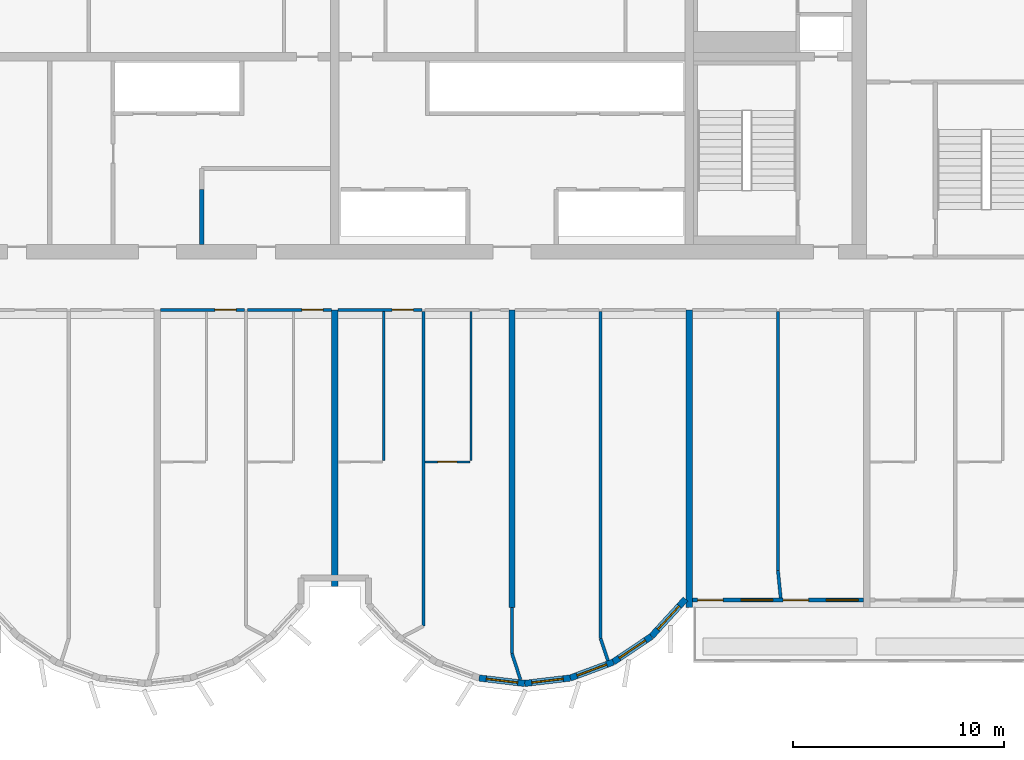
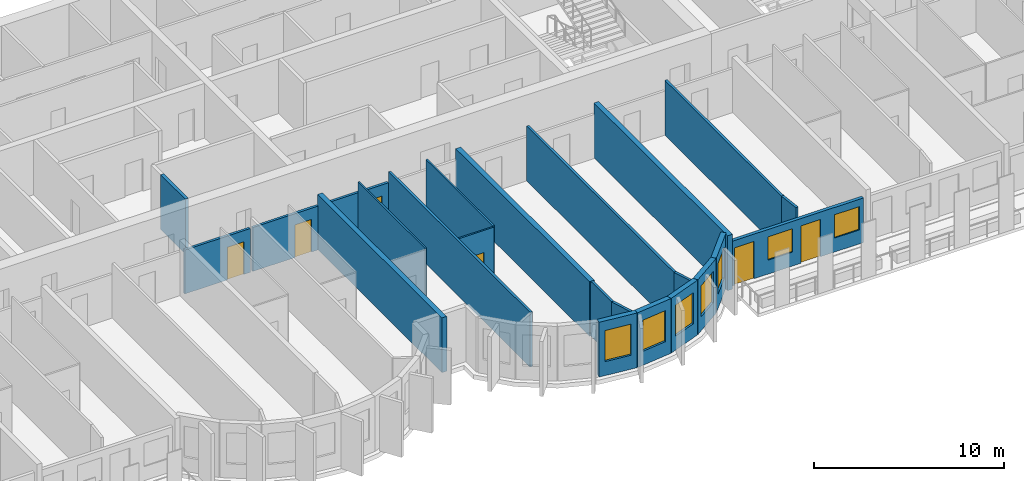
# One storey, part 5 of 13: 23 walls, 7 windows, 6 doors, 13 openings.
"""IFC4 building model written with IfcOpenShell, lengths in metres."""

from ifc_helpers import new_model, si_unit, direction, frame, frame_2d, origin, place, context, subcontext, project, spatial, rectangle, extrude, source, transform, mapped, material, layer, layer_set, type_object, element, fill, save


model = new_model("IFC4")

# Units and contexts
model_context = context("Model", 3, precision=1e-05, world=origin(), true_north=direction((0.0, 1.0)))
body_context = subcontext(model_context, "Body", "Model", "MODEL_VIEW")
ifc_project = project(units=[si_unit("LENGTHUNIT", "METRE"), si_unit("AREAUNIT", "SQUARE_METRE"), si_unit("VOLUMEUNIT", "CUBIC_METRE"), si_unit("PLANEANGLEUNIT", "RADIAN"), si_unit("MASSUNIT", "GRAM", prefix="KILO")], contexts=[model_context])

# Site, building, storey
site_placement = place(None, origin())
site = spatial("IfcSite", under=ifc_project, at=site_placement, CompositionType="ELEMENT")
building_placement = place(site_placement, origin())
building = spatial("IfcBuilding", under=site, at=building_placement, Name="Vanashikhar Sky Hotel", CompositionType="ELEMENT")
storey_placement = place(building_placement, frame((0.0, 0.0, 163.0)))
storey = spatial("IfcBuildingStorey", under=building, at=storey_placement, Name="L39", CompositionType="ELEMENT", Elevation=163.0)

# Walls
ifc_material_1 = material(Name="Concrete M60", Category="concrete")
ifc_layer_1 = layer(ifc_material_1, 0.300048828125)
ifc_layer_set_1 = layer_set([ifc_layer_1], Name="RC shear wall 300 Concrete M60")
wall_type_1 = type_object("IfcWallType", Name="RC shear wall 300 Concrete M60", PredefinedType="SHEAR", material=ifc_layer_set_1)
shared_shape_1 = source(origin(), body_context, "Body", "SweptSolid", [
    extrude(rectangle(XDim=14.10009765625, YDim=0.300048828125, at=frame_2d((7.050048828125, 0.0))), origin(), (0.0, 0.0, 1.0), 3.52001953125),
])
for number, where, z_axis, x_axis, name in (
    (1, (58.800048828125, 5.5, 0.0), (0.0, 0.0, 1.0), (0.0, 1.0, 0.0), "CW-L39-XW08-1"),
    (2, (67.199951171875, 5.5, 0.0), (0.0, 0.0, 1.0), (0.0, 1.0, 0.0), "CW-L39-XW09-1"),
):
    element("IfcWall", number, at=place(storey_placement, frame(where, z_axis=z_axis, x_axis=x_axis)), inside=storey, type_object=wall_type_1, Name=name, PredefinedType="SHEAR", context=body_context, shape_type="MappedRepresentation", body=[
        mapped(shared_shape_1, transform((0.0, 0.0, 0.0), scale=1.0)),
    ])
shared_shape_2 = source(origin(), body_context, "Body", "SweptSolid", [
    extrude(rectangle(XDim=13.10009765625, YDim=0.300048828125, at=frame_2d((6.550048828125, 0.0))), origin(), (0.0, 0.0, 1.0), 3.52001953125),
])
wall_1_placement = place(storey_placement, frame((50.39990234375, 6.5, 0.0), z_axis=(0.0, 0.0, 1.0), x_axis=(0.0, 1.0, 0.0)))
element("IfcWall", 3, at=wall_1_placement, inside=storey, type_object=wall_type_1, Name="CW-L39-XW07-1", PredefinedType="SHEAR", context=body_context, shape_type="MappedRepresentation", body=[
    mapped(shared_shape_2, transform((0.0, 0.0, 0.0), scale=1.0)),
])

# Wall, opening, window
ifc_material_2 = material(Name="Concrete M50", Category="concrete")
ifc_layer_2 = layer(ifc_material_2, 0.300048828125)
ifc_layer_set_2 = layer_set([ifc_layer_2], Name="Lobe wall 300")
wall_type_2 = type_object("IfcWallType", Name="Lobe wall 300", PredefinedType="SOLIDWALL", material=ifc_layer_set_2)
shared_shape_3 = source(origin(), body_context, "Body", "SweptSolid", [
    extrude(rectangle(XDim=2.398193359375, YDim=0.300048828125, at=frame_2d((1.19921875, 0.0))), origin(), (0.0, 0.0, 1.0), 3.52001953125),
])
wall_2_placement = place(storey_placement, frame((65.404296875, 4.13134765625, 0.0), z_axis=(0.0, 0.0, 1.0), x_axis=(0.675374189419, 0.737475222815, 0.0)))
wall_2 = element("IfcWall", 4, at=wall_2_placement, inside=storey, type_object=wall_type_2, Name="Lobe wall", PredefinedType="SOLIDWALL", context=body_context, shape_type="MappedRepresentation", body=[
    mapped(shared_shape_3, transform((0.0, 0.0, 0.0), scale=1.0)),
])
shared_shape_4 = source(origin(), body_context, "Body", "SweptSolid", [
    extrude(rectangle(XDim=1.5, YDim=2.0, at=frame_2d((0.75, 1.0))), frame((0.0, 0.16015625, 0.0), z_axis=(0.0, -1.0, 0.0), x_axis=(1.0, 0.0, 0.0)), (0.0, 0.0, 1.0), 0.320068359375),
])
opening_1_placement = place(wall_2_placement, frame((0.44921875, 0.0, 0.89990234375)))
opening_1 = element("IfcOpeningElement", 5, at=opening_1_placement, cuts=wall_2, Name="Opening WN-2", PredefinedType="OPENING", context=body_context, shape_type="MappedRepresentation", body=[
    mapped(shared_shape_4, transform((0.0, 0.0, 0.0), scale=1.0)),
])
ifc_material_3 = material(Name="Glass", Category="glass")
window_type_1 = type_object("IfcWindowType", Name="Lobe window 1500 x 2000", PartitioningType="SINGLE_PANEL", PredefinedType="WINDOW", material=ifc_material_3)
shared_shape_5 = source(origin(), body_context, "Body", "SweptSolid", [
    extrude(rectangle(XDim=1.5, YDim=2.0, at=frame_2d((0.75, 1.0))), frame((0.0, 0.030029296875, 0.0), z_axis=(0.0, -1.0, 0.0), x_axis=(1.0, 0.0, 0.0)), (0.0, 0.0, 1.0), 0.06005859375),
])
window_1_placement = place(opening_1_placement, origin())
window_1 = element("IfcWindow", 6, at=window_1_placement, inside=storey, type_object=window_type_1, Name="Window WN-2", OverallHeight=2.0, OverallWidth=1.5, PartitioningType="SINGLE_PANEL", PredefinedType="WINDOW", context=body_context, shape_type="MappedRepresentation", body=[
    mapped(shared_shape_5, transform((0.0, 0.0, 0.0), scale=1.0)),
])
fill(opening_1, window_1)

shared_shape_6 = source(origin(), body_context, "Body", "SweptSolid", [
    extrude(rectangle(XDim=2.17578125, YDim=0.300048828125, at=frame_2d((1.087890625, 0.0))), origin(), (0.0, 0.0, 1.0), 3.52001953125),
])
wall_3_placement = place(storey_placement, frame((63.59912109375, 2.91650390625, 0.0), z_axis=(0.0, 0.0, 1.0), x_axis=(0.829625727223, 0.558319937607, 0.0)))
wall_3 = element("IfcWall", 7, at=wall_3_placement, inside=storey, type_object=wall_type_2, Name="Lobe wall", PredefinedType="SOLIDWALL", context=body_context, shape_type="MappedRepresentation", body=[
    mapped(shared_shape_6, transform((0.0, 0.0, 0.0), scale=1.0)),
])
opening_2_placement = place(wall_3_placement, frame((0.337890625, 0.0, 0.89990234375)))
opening_2 = element("IfcOpeningElement", 8, at=opening_2_placement, cuts=wall_3, Name="Opening WN-2", PredefinedType="OPENING", context=body_context, shape_type="MappedRepresentation", body=[
    mapped(shared_shape_4, transform((0.0, 0.0, 0.0), scale=1.0)),
])
window_2_placement = place(opening_2_placement, origin())
window_2 = element("IfcWindow", 9, at=window_2_placement, inside=storey, type_object=window_type_1, Name="Window WN-2", OverallHeight=2.0, OverallWidth=1.5, PartitioningType="SINGLE_PANEL", PredefinedType="WINDOW", context=body_context, shape_type="MappedRepresentation", body=[
    mapped(shared_shape_5, transform((0.0, 0.0, 0.0), scale=1.0)),
])
fill(opening_2, window_2)

shared_shape_7 = source(origin(), body_context, "Body", "SweptSolid", [
    extrude(rectangle(XDim=2.174560546875, YDim=0.300048828125, at=frame_2d((1.08740234375, 0.0))), origin(), (0.0, 0.0, 1.0), 3.52001953125),
])
wall_4_placement = place(storey_placement, frame((57.240478515625, 2.15966796875, 0.0), z_axis=(0.0, 0.0, 1.0), x_axis=(0.993001132889, -0.118104826659, 0.0)))
wall_4 = element("IfcWall", 10, at=wall_4_placement, inside=storey, type_object=wall_type_2, Name="Lobe wall", PredefinedType="SOLIDWALL", context=body_context, shape_type="MappedRepresentation", body=[
    mapped(shared_shape_7, transform((0.0, 0.0, 0.0), scale=1.0)),
])
opening_3_placement = place(wall_4_placement, frame((0.33740234375, 0.0, 0.89990234375)))
opening_3 = element("IfcOpeningElement", 11, at=opening_3_placement, cuts=wall_4, Name="Opening WN-2", PredefinedType="OPENING", context=body_context, shape_type="MappedRepresentation", body=[
    mapped(shared_shape_4, transform((0.0, 0.0, 0.0), scale=1.0)),
])
window_3_placement = place(opening_3_placement, origin())
window_3 = element("IfcWindow", 12, at=window_3_placement, inside=storey, type_object=window_type_1, Name="Window WN-2", OverallHeight=2.0, OverallWidth=1.5, PartitioningType="SINGLE_PANEL", PredefinedType="WINDOW", context=body_context, shape_type="MappedRepresentation", body=[
    mapped(shared_shape_5, transform((0.0, 0.0, 0.0), scale=1.0)),
])
fill(opening_3, window_3)

shared_shape_8 = source(origin(), body_context, "Body", "SweptSolid", [
    extrude(rectangle(XDim=2.1748046875, YDim=0.300048828125, at=frame_2d((1.08740234375, 0.0))), origin(), (0.0, 0.0, 1.0), 3.52001953125),
])
wall_5_placement = place(storey_placement, frame((59.39990234375, 1.90283203125, 0.0), z_axis=(0.0, 0.0, 1.0), x_axis=(0.993002698611, 0.118091661648, 0.0)))
wall_5 = element("IfcWall", 13, at=wall_5_placement, inside=storey, type_object=wall_type_2, Name="Lobe wall", PredefinedType="SOLIDWALL", context=body_context, shape_type="MappedRepresentation", body=[
    mapped(shared_shape_8, transform((0.0, 0.0, 0.0), scale=1.0)),
])
opening_4_placement = place(wall_5_placement, frame((0.33740234375, 0.0, 0.89990234375)))
opening_4 = element("IfcOpeningElement", 14, at=opening_4_placement, cuts=wall_5, Name="Opening WN-2", PredefinedType="OPENING", context=body_context, shape_type="MappedRepresentation", body=[
    mapped(shared_shape_4, transform((0.0, 0.0, 0.0), scale=1.0)),
])
window_4_placement = place(opening_4_placement, origin())
window_4 = element("IfcWindow", 15, at=window_4_placement, inside=storey, type_object=window_type_1, Name="Window WN-2", OverallHeight=2.0, OverallWidth=1.5, PartitioningType="SINGLE_PANEL", PredefinedType="WINDOW", context=body_context, shape_type="MappedRepresentation", body=[
    mapped(shared_shape_5, transform((0.0, 0.0, 0.0), scale=1.0)),
])
fill(opening_4, window_4)

shared_shape_9 = source(origin(), body_context, "Body", "SweptSolid", [
    extrude(rectangle(XDim=2.175537109375, YDim=0.300048828125, at=frame_2d((1.087890625, 0.0))), origin(), (0.0, 0.0, 1.0), 3.52001953125),
])
wall_6_placement = place(storey_placement, frame((61.5595703125, 2.15966796875, 0.0), z_axis=(0.0, 0.0, 1.0), x_axis=(0.937531979054, 0.347899106424, 0.0)))
wall_6 = element("IfcWall", 16, at=wall_6_placement, inside=storey, type_object=wall_type_2, Name="Lobe wall", PredefinedType="SOLIDWALL", context=body_context, shape_type="MappedRepresentation", body=[
    mapped(shared_shape_9, transform((0.0, 0.0, 0.0), scale=1.0)),
])
opening_5_placement = place(wall_6_placement, frame((0.337890625, 0.0, 0.89990234375)))
opening_5 = element("IfcOpeningElement", 17, at=opening_5_placement, cuts=wall_6, Name="Opening WN-2", PredefinedType="OPENING", context=body_context, shape_type="MappedRepresentation", body=[
    mapped(shared_shape_4, transform((0.0, 0.0, 0.0), scale=1.0)),
])
window_5_placement = place(opening_5_placement, origin())
window_5 = element("IfcWindow", 18, at=window_5_placement, inside=storey, type_object=window_type_1, Name="Window WN-2", OverallHeight=2.0, OverallWidth=1.5, PartitioningType="SINGLE_PANEL", PredefinedType="WINDOW", context=body_context, shape_type="MappedRepresentation", body=[
    mapped(shared_shape_5, transform((0.0, 0.0, 0.0), scale=1.0)),
])
fill(opening_5, window_5)

# Wall, openings, windows, doors
ifc_layer_3 = layer(ifc_material_2, 0.199951171875)
ifc_layer_set_3 = layer_set([ifc_layer_3], Name="Front window wall 200")
wall_type_3 = type_object("IfcWallType", Name="Front window wall 200", PredefinedType="SOLIDWALL", material=ifc_layer_set_3)
shared_shape_10 = source(origin(), body_context, "Body", "SweptSolid", [
    extrude(rectangle(XDim=8.099853515625, YDim=0.199951171875, at=frame_2d((4.0498046875, 0.0))), origin(), (0.0, 0.0, 1.0), 2.8701171875),
])
wall_7_placement = place(storey_placement, frame((67.35009765625, 5.85009765625, 0.0), z_axis=(0.0, 0.0, 1.0), x_axis=(1.0, 0.0, 0.0)))
wall_7 = element("IfcWall", 19, at=wall_7_placement, inside=storey, type_object=wall_type_3, Name="Front window wall", PredefinedType="SOLIDWALL", context=body_context, shape_type="MappedRepresentation", body=[
    mapped(shared_shape_10, transform((0.0, 0.0, 0.0), scale=1.0)),
])
shared_shape_11 = source(origin(), body_context, "Body", "SweptSolid", [
    extrude(rectangle(XDim=1.199951171875, YDim=2.39990234375, at=frame_2d((0.60009765625, 1.199951171875))), frame((0.0, 0.10986328125, 0.0), z_axis=(0.0, -1.0, 0.0), x_axis=(1.0, 0.0, 0.0)), (0.0, 0.0, 1.0), 0.219970703125),
])
opening_6_placement = place(wall_7_placement, frame((0.25, 0.0, 0.0)))
opening_6 = element("IfcOpeningElement", 20, at=opening_6_placement, cuts=wall_7, Name="Opening BD-06", PredefinedType="OPENING", context=body_context, shape_type="MappedRepresentation", body=[
    mapped(shared_shape_11, transform((0.0, 0.0, 0.0), scale=1.0)),
])
shared_shape_12 = source(origin(), body_context, "Body", "SweptSolid", [
    extrude(rectangle(XDim=1.5, YDim=1.5, at=frame_2d((0.75, 0.75))), frame((0.0, 0.10986328125, 0.0), z_axis=(0.0, -1.0, 0.0), x_axis=(1.0, 0.0, 0.0)), (0.0, 0.0, 1.0), 0.219970703125),
])
opening_7_placement = place(wall_7_placement, frame((2.300048828125, 0.0, 0.89990234375)))
opening_7 = element("IfcOpeningElement", 21, at=opening_7_placement, cuts=wall_7, Name="Opening WN-1", PredefinedType="OPENING", context=body_context, shape_type="MappedRepresentation", body=[
    mapped(shared_shape_12, transform((0.0, 0.0, 0.0), scale=1.0)),
])
opening_8_placement = place(wall_7_placement, frame((4.300048828125, 0.0, 0.0)))
opening_8 = element("IfcOpeningElement", 22, at=opening_8_placement, cuts=wall_7, Name="Opening BD-07", PredefinedType="OPENING", context=body_context, shape_type="MappedRepresentation", body=[
    mapped(shared_shape_11, transform((0.0, 0.0, 0.0), scale=1.0)),
])
opening_9_placement = place(wall_7_placement, frame((6.35009765625, 0.0, 0.89990234375)))
opening_9 = element("IfcOpeningElement", 23, at=opening_9_placement, cuts=wall_7, Name="Opening WN-1", PredefinedType="OPENING", context=body_context, shape_type="MappedRepresentation", body=[
    mapped(shared_shape_12, transform((0.0, 0.0, 0.0), scale=1.0)),
])
window_type_2 = type_object("IfcWindowType", Name="Window 1500 x 1500", PartitioningType="SINGLE_PANEL", PredefinedType="WINDOW", material=ifc_material_3)
shared_shape_13 = source(origin(), body_context, "Body", "SweptSolid", [
    extrude(rectangle(XDim=1.5, YDim=1.5, at=frame_2d((0.75, 0.75))), frame((0.0, 0.030029296875, 0.0), z_axis=(0.0, -1.0, 0.0), x_axis=(1.0, 0.0, 0.0)), (0.0, 0.0, 1.0), 0.06005859375),
])
window_6_placement = place(opening_7_placement, origin())
window_6 = element("IfcWindow", 24, at=window_6_placement, inside=storey, type_object=window_type_2, Name="Window WN-1", OverallHeight=1.5, OverallWidth=1.5, PartitioningType="SINGLE_PANEL", PredefinedType="WINDOW", context=body_context, shape_type="MappedRepresentation", body=[
    mapped(shared_shape_13, transform((0.0, 0.0, 0.0), scale=1.0)),
])
fill(opening_7, window_6)
window_7_placement = place(opening_9_placement, origin())
window_7 = element("IfcWindow", 25, at=window_7_placement, inside=storey, type_object=window_type_2, Name="Window WN-1", OverallHeight=1.5, OverallWidth=1.5, PartitioningType="SINGLE_PANEL", PredefinedType="WINDOW", context=body_context, shape_type="MappedRepresentation", body=[
    mapped(shared_shape_13, transform((0.0, 0.0, 0.0), scale=1.0)),
])
fill(opening_9, window_7)
ifc_material_4 = material(Name="Aluminium", Category="aluminium")
door_type_1 = type_object("IfcDoorType", Name="Balcony sliding door 1200 x 2400", OperationType="NOTDEFINED", PredefinedType="DOOR", material=ifc_material_4)
shared_shape_14 = source(origin(), body_context, "Body", "SweptSolid", [
    extrude(rectangle(XDim=1.199951171875, YDim=2.39990234375, at=frame_2d((0.60009765625, 1.199951171875))), frame((0.0, 0.02490234375, 0.0), z_axis=(0.0, -1.0, 0.0), x_axis=(1.0, 0.0, 0.0)), (0.0, 0.0, 1.0), 0.050048828125),
])
door_1_placement = place(opening_6_placement, origin())
door_1 = element("IfcDoor", 26, at=door_1_placement, inside=storey, type_object=door_type_1, Name="Balcony sliding door", OperationType="SLIDING_TO_RIGHT", OverallHeight=2.39990234375, OverallWidth=1.199951171875, PredefinedType="DOOR", context=body_context, shape_type="MappedRepresentation", body=[
    mapped(shared_shape_14, transform((0.0, 0.0, 0.0), scale=1.0)),
])
fill(opening_6, door_1)
door_2_placement = place(opening_8_placement, origin())
door_2 = element("IfcDoor", 27, at=door_2_placement, inside=storey, type_object=door_type_1, Name="Balcony sliding door", OperationType="SLIDING_TO_LEFT", OverallHeight=2.39990234375, OverallWidth=1.199951171875, PredefinedType="DOOR", context=body_context, shape_type="MappedRepresentation", body=[
    mapped(shared_shape_14, transform((0.0, 0.0, 0.0), scale=1.0)),
])
fill(opening_8, door_2)

# Walls
ifc_material_5 = material(Name="Gypsum board partition")
ifc_layer_4 = layer(ifc_material_5, 0.14990234375)
ifc_layer_set_4 = layer_set([ifc_layer_4], Name="Service partition 150")
wall_type_4 = type_object("IfcWallType", Name="Service partition 150", PredefinedType="PARTITIONING", material=ifc_layer_set_4)
shared_shape_15 = source(origin(), body_context, "Body", "SweptSolid", [
    extrude(rectangle(XDim=2.60009765625, YDim=0.199951171875, at=frame_2d((1.300048828125, 0.0))), origin(), (0.0, 0.0, 1.0), 3.52001953125),
])
wall_8_placement = place(storey_placement, frame((44.10009765625, 22.699951171875, 0.0), z_axis=(0.0, 0.0, 1.0), x_axis=(0.0, 1.0, 0.0)))
element("IfcWall", 28, at=wall_8_placement, inside=storey, type_object=wall_type_4, Name="Service partition 150", PredefinedType="PARTITIONING", context=body_context, shape_type="MappedRepresentation", body=[
    mapped(shared_shape_15, transform((0.0, 0.0, 0.0), scale=1.0)),
])
ifc_material_6 = material(Name="Gypsum plasterboard partition")
ifc_layer_5 = layer(ifc_material_6, 0.10009765625)
ifc_layer_set_5 = layer_set([ifc_layer_5], Name="Wet room partition 100")
wall_type_5 = type_object("IfcWallType", Name="Wet room partition 100", PredefinedType="PARTITIONING", material=ifc_layer_set_5)
shared_shape_16 = source(origin(), body_context, "Body", "SweptSolid", [
    extrude(rectangle(XDim=7.0498046875, YDim=0.10009765625, at=frame_2d((3.52490234375, 0.0))), origin(), (0.0, 0.0, 1.0), 3.52001953125),
])
for number, where, z_axis, x_axis, name in (
    (29, (52.72509765625, 12.47509765625, 0.0), (0.0, 0.0, 1.0), (0.0, 1.0, 0.0), "W-L39-PW031"),
    (30, (56.85009765625, 12.47509765625, 0.0), (0.0, 0.0, 1.0), (0.0, 1.0, 0.0), "W-L39-PW034"),
):
    element("IfcWall", number, at=place(storey_placement, frame(where, z_axis=z_axis, x_axis=x_axis)), inside=storey, type_object=wall_type_5, Name=name, PredefinedType="PARTITIONING", context=body_context, shape_type="MappedRepresentation", body=[
        mapped(shared_shape_16, transform((0.0, 0.0, 0.0), scale=1.0)),
    ])
ifc_layer_6 = layer(ifc_material_6, 0.14990234375)
ifc_layer_set_6 = layer_set([ifc_layer_6], Name="Corridor and demising partition 150")
wall_type_6 = type_object("IfcWallType", Name="Corridor and demising partition 150", PredefinedType="PARTITIONING", material=ifc_layer_set_6)
shared_shape_17 = source(origin(), body_context, "Body", "SweptSolid", [
    extrude(rectangle(XDim=2.177978515625, YDim=0.14990234375, at=frame_2d((1.0888671875, 0.0))), origin(), (0.0, 0.0, 1.0), 3.52001953125),
])
wall_9_placement = place(storey_placement, frame((58.800048828125, 3.322021484375, 0.0), z_axis=(0.0, 0.0, 1.0), x_axis=(0.0, 1.0, 0.0)))
element("IfcWall", 31, at=wall_9_placement, inside=storey, type_object=wall_type_6, Name="W-L39-PW058", PredefinedType="PARTITIONING", context=body_context, shape_type="MappedRepresentation", body=[
    mapped(shared_shape_17, transform((0.0, 0.0, 0.0), scale=1.0)),
])
shared_shape_18 = source(origin(), body_context, "Body", "SweptSolid", [
    extrude(rectangle(XDim=1.100830078125, YDim=0.14990234375, at=frame_2d((0.55029296875, 0.0))), origin(), (0.0, 0.0, 1.0), 3.52001953125),
])
wall_10_placement = place(storey_placement, frame((63.343017578125, 2.98095703125, 0.0), z_axis=(0.0, 0.0, 1.0), x_axis=(-0.311567081539, 0.950224159712, 0.0)))
element("IfcWall", 32, at=wall_10_placement, inside=storey, type_object=wall_type_6, Name="W-L39-PW040B0", PredefinedType="PARTITIONING", context=body_context, shape_type="MappedRepresentation", body=[
    mapped(shared_shape_18, transform((0.0, 0.0, 0.0), scale=1.0)),
])
shared_shape_19 = source(origin(), body_context, "Body", "SweptSolid", [
    extrude(rectangle(XDim=1.308349609375, YDim=0.14990234375, at=frame_2d((0.654296875, 0.0))), origin(), (0.0, 0.0, 1.0), 3.52001953125),
])
wall_11_placement = place(storey_placement, frame((59.201904296875, 2.076904296875, 0.0), z_axis=(0.0, 0.0, 1.0), x_axis=(-0.307144529633, 0.951662880392, 0.0)))
element("IfcWall", 33, at=wall_11_placement, inside=storey, type_object=wall_type_6, Name="W-L39-PW058B0", PredefinedType="PARTITIONING", context=body_context, shape_type="MappedRepresentation", body=[
    mapped(shared_shape_19, transform((0.0, 0.0, 0.0), scale=1.0)),
])
shared_shape_20 = source(origin(), body_context, "Body", "SweptSolid", [
    extrude(rectangle(XDim=12.27490234375, YDim=0.14990234375, at=frame_2d((6.137451171875, 0.0))), origin(), (0.0, 0.0, 1.0), 3.52001953125),
])
wall_12_placement = place(storey_placement, frame((71.39990234375, 7.25, 0.0), z_axis=(0.0, 0.0, 1.0), x_axis=(0.0, 1.0, 0.0)))
element("IfcWall", 34, at=wall_12_placement, inside=storey, type_object=wall_type_6, Name="W-L39-PW043", PredefinedType="PARTITIONING", context=body_context, shape_type="MappedRepresentation", body=[
    mapped(shared_shape_20, transform((0.0, 0.0, 0.0), scale=1.0)),
])
shared_shape_21 = source(origin(), body_context, "Body", "SweptSolid", [
    extrude(rectangle(XDim=15.497802734375, YDim=0.14990234375, at=frame_2d((7.7490234375, 0.0))), origin(), (0.0, 0.0, 1.0), 3.52001953125),
])
wall_13_placement = place(storey_placement, frame((63.0, 4.027099609375, 0.0), z_axis=(0.0, 0.0, 1.0), x_axis=(0.0, 1.0, 0.0)))
element("IfcWall", 35, at=wall_13_placement, inside=storey, type_object=wall_type_6, Name="W-L39-PW040", PredefinedType="PARTITIONING", context=body_context, shape_type="MappedRepresentation", body=[
    mapped(shared_shape_21, transform((0.0, 0.0, 0.0), scale=1.0)),
])
shared_shape_22 = source(origin(), body_context, "Body", "SweptSolid", [
    extrude(rectangle(XDim=14.906005859375, YDim=0.14990234375, at=frame_2d((7.453125, 0.0))), origin(), (0.0, 0.0, 1.0), 3.52001953125),
])
wall_14_placement = place(storey_placement, frame((54.60009765625, 4.618896484375, 0.0), z_axis=(0.0, 0.0, 1.0), x_axis=(0.0, 1.0, 0.0)))
element("IfcWall", 36, at=wall_14_placement, inside=storey, type_object=wall_type_6, Name="W-L39-PW037", PredefinedType="PARTITIONING", context=body_context, shape_type="MappedRepresentation", body=[
    mapped(shared_shape_22, transform((0.0, 0.0, 0.0), scale=1.0)),
])
shared_shape_23 = source(origin(), body_context, "Body", "SweptSolid", [
    extrude(rectangle(XDim=1.306640625, YDim=0.14990234375, at=frame_2d((0.6533203125, 0.0))), origin(), (0.0, 0.0, 1.0), 3.52001953125),
])
wall_15_placement = place(storey_placement, frame((71.530029296875, 5.949951171875, 0.0), z_axis=(0.0, 0.0, 1.0), x_axis=(-0.099596223396, 0.99502793543, 0.0)))
element("IfcWall", 37, at=wall_15_placement, inside=storey, type_object=wall_type_6, Name="W-L39-PW043B0", PredefinedType="PARTITIONING", context=body_context, shape_type="MappedRepresentation", body=[
    mapped(shared_shape_23, transform((0.0, 0.0, 0.0), scale=1.0)),
])

# Wall, opening, door
shared_shape_24 = source(origin(), body_context, "Body", "SweptSolid", [
    extrude(rectangle(XDim=2.125, YDim=0.10009765625, at=frame_2d((1.0625, 0.0))), origin(), (0.0, 0.0, 1.0), 3.52001953125),
])
wall_16_placement = place(storey_placement, frame((54.675048828125, 12.39990234375, 0.0), z_axis=(0.0, 0.0, 1.0), x_axis=(1.0, 0.0, 0.0)))
wall_16 = element("IfcWall", 38, at=wall_16_placement, inside=storey, type_object=wall_type_5, Name="W-L39-PW035", PredefinedType="PARTITIONING", context=body_context, shape_type="MappedRepresentation", body=[
    mapped(shared_shape_24, transform((0.0, 0.0, 0.0), scale=1.0)),
])
shared_shape_25 = source(origin(), body_context, "Body", "SweptSolid", [
    extrude(rectangle(XDim=0.89990234375, YDim=2.10009765625, at=frame_2d((0.449951171875, 1.050048828125))), frame((0.0, 0.06005859375, 0.0), z_axis=(0.0, -1.0, 0.0), x_axis=(1.0, 0.0, 0.0)), (0.0, 0.0, 1.0), 0.1201171875),
])
opening_10_placement = place(wall_16_placement, frame((0.613037109375, 0.0, 0.0)))
opening_10 = element("IfcOpeningElement", 39, at=opening_10_placement, cuts=wall_16, Name="Opening D-02", PredefinedType="OPENING", context=body_context, shape_type="MappedRepresentation", body=[
    mapped(shared_shape_25, transform((0.0, 0.0, 0.0), scale=1.0)),
])
ifc_material_7 = material(Name="Timber door", Category="wood")
door_type_2 = type_object("IfcDoorType", Name="Internal door 900", OperationType="NOTDEFINED", PredefinedType="DOOR", material=ifc_material_7)
shared_shape_26 = source(origin(), body_context, "Body", "SweptSolid", [
    extrude(rectangle(XDim=0.89990234375, YDim=2.10009765625, at=frame_2d((0.449951171875, 1.050048828125))), frame((0.0, 0.02490234375, 0.0), z_axis=(0.0, -1.0, 0.0), x_axis=(1.0, 0.0, 0.0)), (0.0, 0.0, 1.0), 0.050048828125),
])
door_3_placement = place(opening_10_placement, origin())
door_3 = element("IfcDoor", 40, at=door_3_placement, inside=storey, type_object=door_type_2, Name="D-L39-021", OperationType="SINGLE_SWING_RIGHT", OverallHeight=2.10009765625, OverallWidth=0.89990234375, PredefinedType="DOOR", context=body_context, shape_type="MappedRepresentation", body=[
    mapped(shared_shape_26, transform((0.0, 0.0, 0.0), scale=1.0)),
])
fill(opening_10, door_3)

shared_shape_27 = source(origin(), body_context, "Body", "SweptSolid", [
    extrude(rectangle(XDim=3.974853515625, YDim=0.14990234375, at=frame_2d((1.9873046875, 0.0))), origin(), (0.0, 0.0, 1.0), 2.820068359375),
])
wall_17_placement = place(storey_placement, frame((50.550048828125, 19.60009765625, 0.0), z_axis=(0.0, 0.0, 1.0), x_axis=(1.0, 0.0, 0.0)))
wall_17 = element("IfcWall", 41, at=wall_17_placement, inside=storey, type_object=wall_type_6, Name="W-L39-PW033", PredefinedType="PARTITIONING", context=body_context, shape_type="MappedRepresentation", body=[
    mapped(shared_shape_27, transform((0.0, 0.0, 0.0), scale=1.0)),
])
shared_shape_28 = source(origin(), body_context, "Body", "SweptSolid", [
    extrude(rectangle(XDim=1.0, YDim=2.10009765625, at=frame_2d((0.5, 1.050048828125))), frame((0.0, 0.0849609375, 0.0), z_axis=(0.0, -1.0, 0.0), x_axis=(1.0, 0.0, 0.0)), (0.0, 0.0, 1.0), 0.169921875),
])
opening_11_placement = place(wall_17_placement, frame((2.574951171875, 0.0, 0.0)))
opening_11 = element("IfcOpeningElement", 42, at=opening_11_placement, cuts=wall_17, Name="Opening D-01", PredefinedType="OPENING", context=body_context, shape_type="MappedRepresentation", body=[
    mapped(shared_shape_28, transform((0.0, 0.0, 0.0), scale=1.0)),
])
ifc_material_8 = material(Name="Timber fire door", Category="wood")
door_type_3 = type_object("IfcDoorType", Name="Guest entry door 1000 FD30S", OperationType="NOTDEFINED", PredefinedType="DOOR", material=ifc_material_8)
shared_shape_29 = source(origin(), body_context, "Body", "SweptSolid", [
    extrude(rectangle(XDim=1.0, YDim=2.10009765625, at=frame_2d((0.5, 1.050048828125))), frame((0.0, 0.02490234375, 0.0), z_axis=(0.0, -1.0, 0.0), x_axis=(1.0, 0.0, 0.0)), (0.0, 0.0, 1.0), 0.050048828125),
])
door_4_placement = place(opening_11_placement, origin())
door_4 = element("IfcDoor", 43, at=door_4_placement, inside=storey, type_object=door_type_3, Name="D-L39-020", OperationType="SINGLE_SWING_RIGHT", OverallHeight=2.10009765625, OverallWidth=1.0, PredefinedType="DOOR", context=body_context, shape_type="MappedRepresentation", body=[
    mapped(shared_shape_29, transform((0.0, 0.0, 0.0), scale=1.0)),
])
fill(opening_11, door_4)

shared_shape_30 = source(origin(), body_context, "Body", "SweptSolid", [
    extrude(rectangle(XDim=3.97509765625, YDim=0.14990234375, at=frame_2d((1.987548828125, 0.0))), origin(), (0.0, 0.0, 1.0), 2.820068359375),
])
wall_18_placement = place(storey_placement, frame((42.14990234375, 19.60009765625, 0.0), z_axis=(0.0, 0.0, 1.0), x_axis=(1.0, 0.0, 0.0)))
wall_18 = element("IfcWall", 44, at=wall_18_placement, inside=storey, type_object=wall_type_6, Name="W-L39-PW026", PredefinedType="PARTITIONING", context=body_context, shape_type="MappedRepresentation", body=[
    mapped(shared_shape_30, transform((0.0, 0.0, 0.0), scale=1.0)),
])
opening_12_placement = place(wall_18_placement, frame((2.574951171875, 0.0, 0.0)))
opening_12 = element("IfcOpeningElement", 45, at=opening_12_placement, cuts=wall_18, Name="Opening D-01", PredefinedType="OPENING", context=body_context, shape_type="MappedRepresentation", body=[
    mapped(shared_shape_28, transform((0.0, 0.0, 0.0), scale=1.0)),
])
door_5_placement = place(opening_12_placement, origin())
door_5 = element("IfcDoor", 46, at=door_5_placement, inside=storey, type_object=door_type_3, Name="D-L39-016", OperationType="SINGLE_SWING_RIGHT", OverallHeight=2.10009765625, OverallWidth=1.0, PredefinedType="DOOR", context=body_context, shape_type="MappedRepresentation", body=[
    mapped(shared_shape_29, transform((0.0, 0.0, 0.0), scale=1.0)),
])
fill(opening_12, door_5)

wall_19_placement = place(storey_placement, frame((46.27490234375, 19.60009765625, 0.0), z_axis=(0.0, 0.0, 1.0), x_axis=(1.0, 0.0, 0.0)))
wall_19 = element("IfcWall", 47, at=wall_19_placement, inside=storey, type_object=wall_type_6, Name="W-L39-PW029", PredefinedType="PARTITIONING", context=body_context, shape_type="MappedRepresentation", body=[
    mapped(shared_shape_30, transform((0.0, 0.0, 0.0), scale=1.0)),
])
opening_13_placement = place(wall_19_placement, frame((2.574951171875, 0.0, 0.0)))
opening_13 = element("IfcOpeningElement", 48, at=opening_13_placement, cuts=wall_19, Name="Opening D-01", PredefinedType="OPENING", context=body_context, shape_type="MappedRepresentation", body=[
    mapped(shared_shape_28, transform((0.0, 0.0, 0.0), scale=1.0)),
])
door_6_placement = place(opening_13_placement, origin())
door_6 = element("IfcDoor", 49, at=door_6_placement, inside=storey, type_object=door_type_3, Name="D-L39-018", OperationType="SINGLE_SWING_RIGHT", OverallHeight=2.10009765625, OverallWidth=1.0, PredefinedType="DOOR", context=body_context, shape_type="MappedRepresentation", body=[
    mapped(shared_shape_29, transform((0.0, 0.0, 0.0), scale=1.0)),
])
fill(opening_13, door_6)

save(model, "model.ifc")
